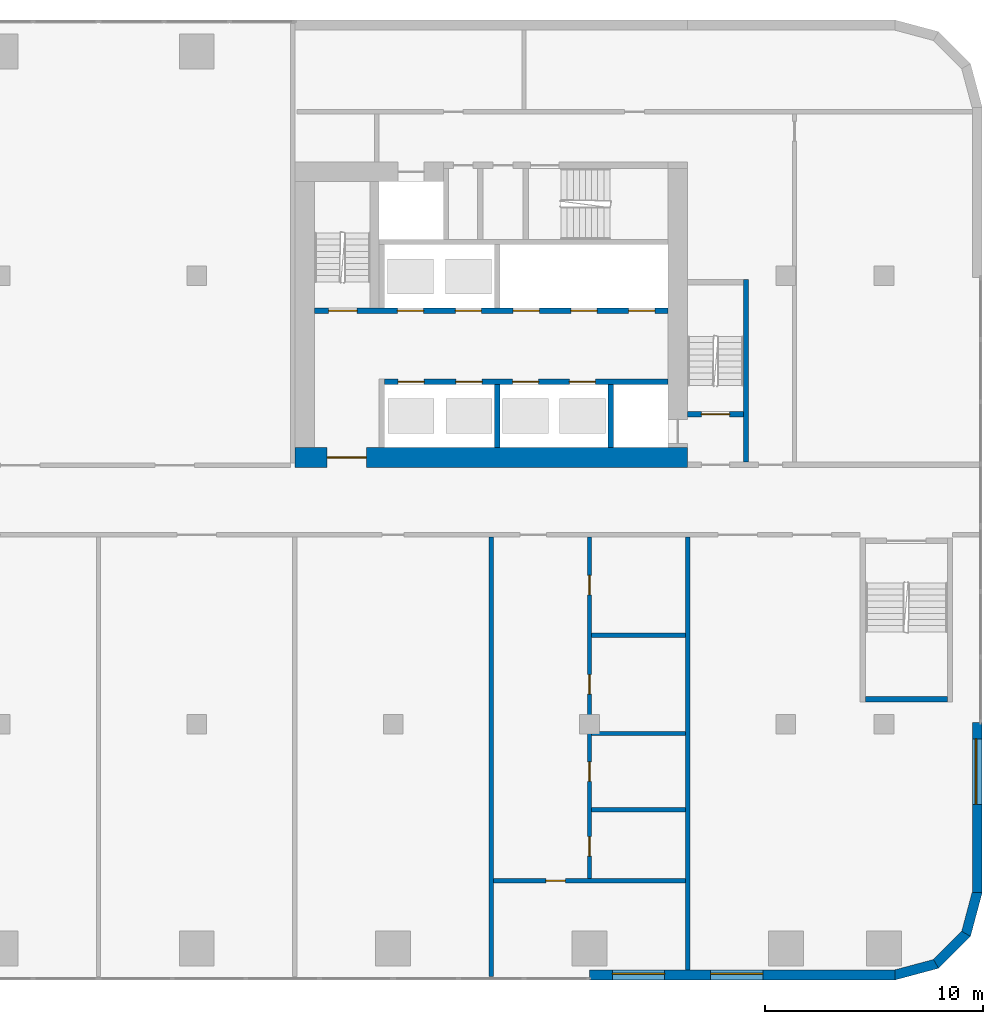
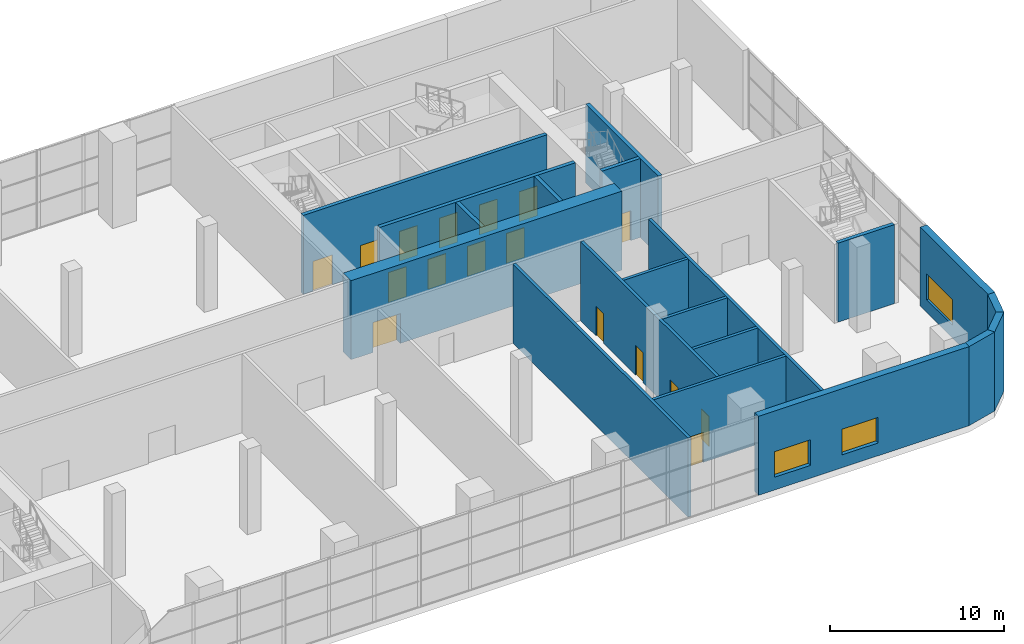
# One storey, part 15 of 27: 20 walls, 17 doors, 3 windows, 20 openings.
"""IFC4 building model written with IfcOpenShell, lengths in metres."""

from ifc_helpers import new_model, si_unit, direction, frame, frame_2d, origin, place, context, subcontext, project, spatial, polyline, rectangle, outline, extrude, material, layer, layer_set, type_object, element, fill, save


model = new_model("IFC4")

# Units and contexts
model_context = context("Model", 3, precision=1e-05, world=origin(), true_north=direction((0.0, 1.0)))
body_context = subcontext(model_context, "Body", "Model", "MODEL_VIEW")
ifc_project = project(units=[si_unit("LENGTHUNIT", "METRE"), si_unit("AREAUNIT", "SQUARE_METRE"), si_unit("VOLUMEUNIT", "CUBIC_METRE"), si_unit("PLANEANGLEUNIT", "RADIAN"), si_unit("MASSUNIT", "GRAM", prefix="KILO")], contexts=[model_context])

# Site, building, storey
site_placement = place(None, origin())
site = spatial("IfcSite", under=ifc_project, at=site_placement, CompositionType="ELEMENT")
building_placement = place(site_placement, origin())
building = spatial("IfcBuilding", under=site, at=building_placement, Name="Kajstack Hotel Tower", CompositionType="ELEMENT")
storey_placement = place(building_placement, frame((0.0, 0.0, 11.0)))
storey = spatial("IfcBuildingStorey", under=building, at=storey_placement, Name="L01", CompositionType="ELEMENT", Elevation=11.0)

# Wall, opening, door
ifc_material_1 = material(Name="Concrete C60/75", Category="concrete")
ifc_layer_1 = layer(ifc_material_1, 0.89990234375)
ifc_layer_set_1 = layer_set([ifc_layer_1], Name="Core wall 900")
wall_type_1 = type_object("IfcWallType", Name="Core wall 900", PredefinedType="SHEAR", material=ifc_layer_set_1)
wall_1_placement = place(storey_placement, frame((13.5, 1.949951171875, 0.0), z_axis=(0.0, 0.0, 1.0), x_axis=(1.0, 0.0, 0.0)))
wall_1 = element("IfcWall", 1, at=wall_1_placement, inside=storey, type_object=wall_type_1, Name="Core wall E RN", PredefinedType="SHEAR", context=body_context, shape_type="SweptSolid", body=[
    extrude(rectangle(XDim=18.0, YDim=0.89990234375, at=frame_2d((9.0, 0.0))), origin(), (0.0, 0.0, 1.0), 5.550048828125),
])
opening_1_placement = place(wall_1_placement, frame((1.47509765625, 0.0, 0.0)))
opening_1 = element("IfcOpeningElement", 2, at=opening_1_placement, cuts=wall_1, Name="Opening 01E12", PredefinedType="OPENING", context=body_context, shape_type="SweptSolid", body=[
    extrude(rectangle(XDim=1.800048828125, YDim=2.10009765625, at=frame_2d((0.89990234375, 1.050048828125))), frame((0.0, 0.4599609375, 0.0), z_axis=(0.0, -1.0, 0.0), x_axis=(1.0, 0.0, 0.0)), (0.0, 0.0, 1.0), 0.919921875),
])
ifc_material_2 = material(Name="Glazed steel frame, fire-rated glass", Category="steel")
door_type_1 = type_object("IfcDoorType", Name="Lobby double door 1800", OperationType="DOUBLE_DOOR_DOUBLE_SWING", PredefinedType="DOOR", material=ifc_material_2)
door_1_placement = place(opening_1_placement, origin())
door_1 = element("IfcDoor", 3, at=door_1_placement, inside=storey, type_object=door_type_1, Name="Door 01E12", OperationType="DOUBLE_DOOR_DOUBLE_SWING", OverallHeight=2.10009765625, OverallWidth=1.800048828125, PredefinedType="DOOR", context=body_context, shape_type="SweptSolid", body=[
    extrude(rectangle(XDim=1.800048828125, YDim=2.10009765625, at=frame_2d((0.89990234375, 1.050048828125))), frame((0.0, 0.02490234375, 0.0), z_axis=(0.0, -1.0, 0.0), x_axis=(1.0, 0.0, 0.0)), (0.0, 0.0, 1.0), 0.050048828125),
])
fill(opening_1, door_1)

# Wall, openings, windows
ifc_material_3 = material(Name="Terracotta-faced brick masonry", Category="masonry")
ifc_layer_2 = layer(ifc_material_3, 0.449951171875)
ifc_layer_set_2 = layer_set([ifc_layer_2], Name="EW-TERRA")
wall_type_2 = type_object("IfcWallType", Name="EW-TERRA", PredefinedType="SOLIDWALL", material=ifc_layer_set_2)
wall_2_placement = place(storey_placement, frame((27.0, -21.77490234375, 0.0), z_axis=(0.0, 0.0, 1.0), x_axis=(1.0, 0.0, 0.0)))
wall_2 = element("IfcWall", 4, at=wall_2_placement, inside=storey, type_object=wall_type_2, Name="E-wall-L01-03-03", PredefinedType="SOLIDWALL", context=body_context, shape_type="SweptSolid", body=[
    extrude(rectangle(XDim=14.0, YDim=0.449951171875, at=frame_2d((7.0, 0.0))), origin(), (0.0, 0.0, 1.0), 5.550048828125),
])
opening_2_placement = place(wall_2_placement, frame((1.050048828125, 0.0, 0.89990234375)))
opening_2 = element("IfcOpeningElement", 5, at=opening_2_placement, cuts=wall_2, Name="Opening W4", PredefinedType="OPENING", context=body_context, shape_type="SweptSolid", body=[
    extrude(rectangle(XDim=2.39990234375, YDim=1.800048828125, at=frame_2d((1.199951171875, 0.89990234375))), frame((0.0, 0.23486328125, 0.0), z_axis=(0.0, -1.0, 0.0), x_axis=(1.0, 0.0, 0.0)), (0.0, 0.0, 1.0), 0.469970703125),
])
opening_3_placement = place(wall_2_placement, frame((5.550048828125, 0.0, 0.89990234375)))
opening_3 = element("IfcOpeningElement", 6, at=opening_3_placement, cuts=wall_2, Name="Opening W4", PredefinedType="OPENING", context=body_context, shape_type="SweptSolid", body=[
    extrude(rectangle(XDim=2.39990234375, YDim=1.800048828125, at=frame_2d((1.199951171875, 0.89990234375))), frame((0.0, 0.23486328125, 0.0), z_axis=(0.0, -1.0, 0.0), x_axis=(1.0, 0.0, 0.0)), (0.0, 0.0, 1.0), 0.469970703125),
])
ifc_material_4 = material(Name="Timber-aluminium window, triple glazed", Category="wood")
window_type_1 = type_object("IfcWindowType", Name="WP1", PartitioningType="SINGLE_PANEL", PredefinedType="WINDOW", material=ifc_material_4)
window_1_placement = place(opening_2_placement, origin())
window_1 = element("IfcWindow", 7, at=window_1_placement, inside=storey, type_object=window_type_1, Name="Window W4 L01-03", OverallHeight=1.800048828125, OverallWidth=2.39990234375, PartitioningType="SINGLE_PANEL", PredefinedType="WINDOW", context=body_context, shape_type="SweptSolid", body=[
    extrude(rectangle(XDim=2.39990234375, YDim=1.800048828125, at=frame_2d((1.199951171875, 0.89990234375))), frame((0.0, 0.090087890625, 0.0), z_axis=(0.0, -1.0, 0.0), x_axis=(1.0, 0.0, 0.0)), (0.0, 0.0, 1.0), 0.06005859375),
])
fill(opening_2, window_1)
window_2_placement = place(opening_3_placement, origin())
window_2 = element("IfcWindow", 8, at=window_2_placement, inside=storey, type_object=window_type_1, Name="Window W4 L01-03", OverallHeight=1.800048828125, OverallWidth=2.39990234375, PartitioningType="SINGLE_PANEL", PredefinedType="WINDOW", context=body_context, shape_type="SweptSolid", body=[
    extrude(rectangle(XDim=2.39990234375, YDim=1.800048828125, at=frame_2d((1.199951171875, 0.89990234375))), frame((0.0, 0.090087890625, 0.0), z_axis=(0.0, -1.0, 0.0), x_axis=(1.0, 0.0, 0.0)), (0.0, 0.0, 1.0), 0.06005859375),
])
fill(opening_3, window_2)

# Walls
wall_3_placement = place(storey_placement, frame((40.941650390625, -21.78271484375, 0.0), z_axis=(0.0, 0.0, 1.0), x_axis=(0.965926999034, 0.25881466832, 0.0)))
element("IfcWall", 9, at=wall_3_placement, inside=storey, type_object=wall_type_2, Name="E-wall-L01-04-00", PredefinedType="SOLIDWALL", context=body_context, shape_type="SweptSolid", body=[
    extrude(outline(polyline([(0.000244140625, -0.22509765625), (2.070556640625, -0.224853515625), (1.9501953125, 0.22509765625), (0.12060546875, 0.22509765625), (0.000244140625, -0.22509765625)])), origin(), (0.0, 0.0, 1.0), 5.550048828125),
])
wall_4_placement = place(storey_placement, frame((42.8408203125, -21.304931640625, 0.0), z_axis=(0.0, 0.0, 1.0), x_axis=(0.707106781187, 0.707106781187, 0.0)))
element("IfcWall", 10, at=wall_4_placement, inside=storey, type_object=wall_type_2, Name="E-wall-L01-05-00", PredefinedType="SOLIDWALL", context=body_context, shape_type="SweptSolid", body=[
    extrude(outline(polyline([(0.0, -0.22509765625), (2.070556640625, -0.22509765625), (1.949951171875, 0.224853515625), (0.12060546875, 0.224853515625), (0.0, -0.22509765625)])), origin(), (0.0, 0.0, 1.0), 5.550048828125),
])
wall_5_placement = place(storey_placement, frame((44.246826171875, -19.941650390625, 0.0), z_axis=(0.0, 0.0, 1.0), x_axis=(0.25881466832, 0.965926999034, 0.0)))
element("IfcWall", 11, at=wall_5_placement, inside=storey, type_object=wall_type_2, Name="E-wall-L01-06-00", PredefinedType="SOLIDWALL", context=body_context, shape_type="SweptSolid", body=[
    extrude(outline(polyline([(-0.000244140625, -0.224853515625), (2.0703125, -0.22509765625), (1.949951171875, 0.22509765625), (0.120361328125, 0.22509765625), (-0.000244140625, -0.224853515625)])), origin(), (0.0, 0.0, 1.0), 5.550048828125),
])

# Wall, opening, window
wall_6_placement = place(storey_placement, frame((44.77490234375, -18.0, 0.0), z_axis=(0.0, 0.0, 1.0), x_axis=(0.0, 1.0, 0.0)))
wall_6 = element("IfcWall", 12, at=wall_6_placement, inside=storey, type_object=wall_type_2, Name="E-wall-L01-07-00", PredefinedType="SOLIDWALL", context=body_context, shape_type="SweptSolid", body=[
    extrude(rectangle(XDim=7.800048828125, YDim=0.449951171875, at=frame_2d((3.89990234375, 0.0))), origin(), (0.0, 0.0, 1.0), 5.550048828125),
])
opening_4_placement = place(wall_6_placement, frame((4.050048828125, 0.0, 0.89990234375)))
opening_4 = element("IfcOpeningElement", 13, at=opening_4_placement, cuts=wall_6, Name="Opening W5", PredefinedType="OPENING", context=body_context, shape_type="SweptSolid", body=[
    extrude(rectangle(XDim=3.0, YDim=1.800048828125, at=frame_2d((1.5, 0.89990234375))), frame((0.0, 0.23486328125, 0.0), z_axis=(0.0, -1.0, 0.0), x_axis=(1.0, 0.0, 0.0)), (0.0, 0.0, 1.0), 0.469970703125),
])
window_type_2 = type_object("IfcWindowType", Name="WP2", PartitioningType="SINGLE_PANEL", PredefinedType="WINDOW", material=ifc_material_4)
window_3_placement = place(opening_4_placement, origin())
window_3 = element("IfcWindow", 14, at=window_3_placement, inside=storey, type_object=window_type_2, Name="Window W5 L01-07", OverallHeight=1.800048828125, OverallWidth=3.0, PartitioningType="SINGLE_PANEL", PredefinedType="WINDOW", context=body_context, shape_type="SweptSolid", body=[
    extrude(rectangle(XDim=3.0, YDim=1.800048828125, at=frame_2d((1.5, 0.89990234375))), frame((0.0, 0.090087890625, 0.0), z_axis=(0.0, -1.0, 0.0), x_axis=(1.0, 0.0, 0.0)), (0.0, 0.0, 1.0), 0.06005859375),
])
fill(opening_4, window_3)

# Walls
ifc_material_5 = material(Name="Concrete C50/60", Category="concrete")
ifc_layer_3 = layer(ifc_material_5, 0.300048828125)
ifc_layer_set_3 = layer_set([ifc_layer_3], Name="Hoistway divider wall 300")
wall_type_3 = type_object("IfcWallType", Name="Hoistway divider wall 300", PredefinedType="SHEAR", material=ifc_layer_set_3)
wall_7_placement = place(storey_placement, frame((22.77490234375, 2.39990234375, 0.0), z_axis=(0.0, 0.0, 1.0), x_axis=(0.0, 1.0, 0.0)))
element("IfcWall", 15, at=wall_7_placement, inside=storey, type_object=wall_type_3, Name="Core wall E AP2", PredefinedType="SHEAR", context=body_context, shape_type="SweptSolid", body=[
    extrude(rectangle(XDim=2.900146484375, YDim=0.25, at=frame_2d((1.4501953125, 0.0))), origin(), (0.0, 0.0, 1.0), 5.550048828125),
])
ifc_material_6 = material(Name="Gypsum board on steel studs, mineral wool", Category="steel")
ifc_layer_4 = layer(ifc_material_6, 0.199951171875)
ifc_layer_set_4 = layer_set([ifc_layer_4], Name="Public partition 200")
wall_type_4 = type_object("IfcWallType", Name="Public partition 200", PredefinedType="PARTITIONING", material=ifc_layer_set_4)
wall_8_placement = place(storey_placement, frame((22.5, -21.85009765625, 0.0), z_axis=(0.0, 0.0, 1.0), x_axis=(0.0, 1.0, 0.0)))
element("IfcWall", 16, at=wall_8_placement, inside=storey, type_object=wall_type_4, Name="Partition SPX2", PredefinedType="PARTITIONING", context=body_context, shape_type="SweptSolid", body=[
    extrude(rectangle(XDim=20.150146484375, YDim=0.199951171875, at=frame_2d((10.0751953125, 0.0))), origin(), (0.0, 0.0, 1.0), 5.550048828125),
])

# Wall, openings, doors
wall_9_placement = place(storey_placement, frame((27.0, -17.35009765625, 0.0), z_axis=(0.0, 0.0, 1.0), x_axis=(0.0, 1.0, 0.0)))
wall_9 = element("IfcWall", 17, at=wall_9_placement, inside=storey, type_object=wall_type_4, Name="Partition SC3CW", PredefinedType="PARTITIONING", context=body_context, shape_type="SweptSolid", body=[
    extrude(rectangle(XDim=15.650146484375, YDim=0.199951171875, at=frame_2d((7.8251953125, 0.0))), origin(), (0.0, 0.0, 1.0), 5.550048828125),
])
opening_5_placement = place(wall_9_placement, frame((13.0, 0.0, 0.0)))
opening_5 = element("IfcOpeningElement", 18, at=opening_5_placement, cuts=wall_9, Name="Opening 01P17", PredefinedType="OPENING", context=body_context, shape_type="SweptSolid", body=[
    extrude(rectangle(XDim=0.89990234375, YDim=2.10009765625, at=frame_2d((0.449951171875, 1.050048828125))), frame((0.0, 0.10986328125, 0.0), z_axis=(0.0, -1.0, 0.0), x_axis=(1.0, 0.0, 0.0)), (0.0, 0.0, 1.0), 0.219970703125),
])
opening_6_placement = place(wall_9_placement, frame((8.449951171875, 0.0, 0.0)))
opening_6 = element("IfcOpeningElement", 19, at=opening_6_placement, cuts=wall_9, Name="Opening 01P18", PredefinedType="OPENING", context=body_context, shape_type="SweptSolid", body=[
    extrude(rectangle(XDim=0.89990234375, YDim=2.10009765625, at=frame_2d((0.449951171875, 1.050048828125))), frame((0.0, 0.10986328125, 0.0), z_axis=(0.0, -1.0, 0.0), x_axis=(1.0, 0.0, 0.0)), (0.0, 0.0, 1.0), 0.219970703125),
])
opening_7_placement = place(wall_9_placement, frame((4.449951171875, 0.0, 0.0)))
opening_7 = element("IfcOpeningElement", 20, at=opening_7_placement, cuts=wall_9, Name="Opening 01P19", PredefinedType="OPENING", context=body_context, shape_type="SweptSolid", body=[
    extrude(rectangle(XDim=0.89990234375, YDim=2.10009765625, at=frame_2d((0.449951171875, 1.050048828125))), frame((0.0, 0.10986328125, 0.0), z_axis=(0.0, -1.0, 0.0), x_axis=(1.0, 0.0, 0.0)), (0.0, 0.0, 1.0), 0.219970703125),
])
opening_8_placement = place(wall_9_placement, frame((1.02490234375, 0.0, 0.0)))
opening_8 = element("IfcOpeningElement", 21, at=opening_8_placement, cuts=wall_9, Name="Opening 01P20", PredefinedType="OPENING", context=body_context, shape_type="SweptSolid", body=[
    extrude(rectangle(XDim=0.89990234375, YDim=2.10009765625, at=frame_2d((0.449951171875, 1.050048828125))), frame((0.0, 0.10986328125, 0.0), z_axis=(0.0, -1.0, 0.0), x_axis=(1.0, 0.0, 0.0)), (0.0, 0.0, 1.0), 0.219970703125),
])
ifc_material_7 = material(Name="Timber leaf", Category="wood")
door_type_2 = type_object("IfcDoorType", Name="Public room door 900", OperationType="SINGLE_SWING_LEFT", PredefinedType="DOOR", material=ifc_material_7)
door_2_placement = place(opening_5_placement, origin())
door_2 = element("IfcDoor", 22, at=door_2_placement, inside=storey, type_object=door_type_2, Name="Door 01P17", OperationType="SINGLE_SWING_RIGHT", OverallHeight=2.10009765625, OverallWidth=0.89990234375, PredefinedType="DOOR", context=body_context, shape_type="SweptSolid", body=[
    extrude(rectangle(XDim=0.89990234375, YDim=2.10009765625, at=frame_2d((0.449951171875, 1.050048828125))), frame((0.0, 0.02490234375, 0.0), z_axis=(0.0, -1.0, 0.0), x_axis=(1.0, 0.0, 0.0)), (0.0, 0.0, 1.0), 0.050048828125),
])
fill(opening_5, door_2)
door_3_placement = place(opening_6_placement, origin())
door_3 = element("IfcDoor", 23, at=door_3_placement, inside=storey, type_object=door_type_2, Name="Door 01P18", OperationType="SINGLE_SWING_RIGHT", OverallHeight=2.10009765625, OverallWidth=0.89990234375, PredefinedType="DOOR", context=body_context, shape_type="SweptSolid", body=[
    extrude(rectangle(XDim=0.89990234375, YDim=2.10009765625, at=frame_2d((0.449951171875, 1.050048828125))), frame((0.0, 0.02490234375, 0.0), z_axis=(0.0, -1.0, 0.0), x_axis=(1.0, 0.0, 0.0)), (0.0, 0.0, 1.0), 0.050048828125),
])
fill(opening_6, door_3)
door_4_placement = place(opening_7_placement, origin())
door_4 = element("IfcDoor", 24, at=door_4_placement, inside=storey, type_object=door_type_2, Name="Door 01P19", OperationType="SINGLE_SWING_RIGHT", OverallHeight=2.10009765625, OverallWidth=0.89990234375, PredefinedType="DOOR", context=body_context, shape_type="SweptSolid", body=[
    extrude(rectangle(XDim=0.89990234375, YDim=2.10009765625, at=frame_2d((0.449951171875, 1.050048828125))), frame((0.0, 0.02490234375, 0.0), z_axis=(0.0, -1.0, 0.0), x_axis=(1.0, 0.0, 0.0)), (0.0, 0.0, 1.0), 0.050048828125),
])
fill(opening_7, door_4)
door_5_placement = place(opening_8_placement, origin())
door_5 = element("IfcDoor", 25, at=door_5_placement, inside=storey, type_object=door_type_2, Name="Door 01P20", OperationType="SINGLE_SWING_RIGHT", OverallHeight=2.10009765625, OverallWidth=0.89990234375, PredefinedType="DOOR", context=body_context, shape_type="SweptSolid", body=[
    extrude(rectangle(XDim=0.89990234375, YDim=2.10009765625, at=frame_2d((0.449951171875, 1.050048828125))), frame((0.0, 0.02490234375, 0.0), z_axis=(0.0, -1.0, 0.0), x_axis=(1.0, 0.0, 0.0)), (0.0, 0.0, 1.0), 0.050048828125),
])
fill(opening_8, door_5)

# Walls
for number, where, z_axis, x_axis, name in (
    (26, (27.10009765625, -6.199951171875, 0.0), (0.0, 0.0, 1.0), (1.0, 0.0, 0.0), "Partition SC3wP0"),
    (27, (27.10009765625, -10.699951171875, 0.0), (0.0, 0.0, 1.0), (1.0, 0.0, 0.0), "Partition SC3wP1"),
    (28, (27.10009765625, -14.199951171875, 0.0), (0.0, 0.0, 1.0), (1.0, 0.0, 0.0), "Partition SC3wP2"),
):
    element("IfcWall", number, at=place(storey_placement, frame(where, z_axis=z_axis, x_axis=x_axis)), inside=storey, type_object=wall_type_4, Name=name, PredefinedType="PARTITIONING", context=body_context, shape_type="SweptSolid", body=[
        extrude(rectangle(XDim=4.2998046875, YDim=0.199951171875, at=frame_2d((2.14990234375, 0.0))), origin(), (0.0, 0.0, 1.0), 5.550048828125),
    ])

# Wall, opening, door
wall_10_placement = place(storey_placement, frame((22.60009765625, -17.449951171875, 0.0), z_axis=(0.0, 0.0, 1.0), x_axis=(1.0, 0.0, 0.0)))
wall_10 = element("IfcWall", 29, at=wall_10_placement, inside=storey, type_object=wall_type_4, Name="Partition SC3BW", PredefinedType="PARTITIONING", context=body_context, shape_type="SweptSolid", body=[
    extrude(rectangle(XDim=8.7998046875, YDim=0.199951171875, at=frame_2d((4.39990234375, 0.0))), origin(), (0.0, 0.0, 1.0), 5.550048828125),
])
opening_9_placement = place(wall_10_placement, frame((2.39990234375, 0.0, 0.0)))
opening_9 = element("IfcOpeningElement", 30, at=opening_9_placement, cuts=wall_10, Name="Opening 01P21", PredefinedType="OPENING", context=body_context, shape_type="SweptSolid", body=[
    extrude(rectangle(XDim=0.89990234375, YDim=2.10009765625, at=frame_2d((0.449951171875, 1.050048828125))), frame((0.0, 0.10986328125, 0.0), z_axis=(0.0, -1.0, 0.0), x_axis=(1.0, 0.0, 0.0)), (0.0, 0.0, 1.0), 0.219970703125),
])
door_6_placement = place(opening_9_placement, origin())
door_6 = element("IfcDoor", 31, at=door_6_placement, inside=storey, type_object=door_type_2, Name="Door 01P21", OperationType="SINGLE_SWING_RIGHT", OverallHeight=2.10009765625, OverallWidth=0.89990234375, PredefinedType="DOOR", context=body_context, shape_type="SweptSolid", body=[
    extrude(rectangle(XDim=0.89990234375, YDim=2.10009765625, at=frame_2d((0.449951171875, 1.050048828125))), frame((0.0, 0.02490234375, 0.0), z_axis=(0.0, -1.0, 0.0), x_axis=(1.0, 0.0, 0.0)), (0.0, 0.0, 1.0), 0.050048828125),
])
fill(opening_9, door_6)

# Wall
wall_11_placement = place(storey_placement, frame((31.5, -21.550048828125, 0.0), z_axis=(0.0, 0.0, 1.0), x_axis=(0.0, 1.0, 0.0)))
element("IfcWall", 32, at=wall_11_placement, inside=storey, type_object=wall_type_4, Name="Partition SPX3", PredefinedType="PARTITIONING", context=body_context, shape_type="SweptSolid", body=[
    extrude(rectangle(XDim=19.85009765625, YDim=0.199951171875, at=frame_2d((9.925048828125, 0.0))), origin(), (0.0, 0.0, 1.0), 5.550048828125),
])

# Wall, openings, doors
ifc_layer_5 = layer(ifc_material_5, 0.25)
ifc_layer_set_5 = layer_set([ifc_layer_5], Name="Shaft wall 250")
wall_type_5 = type_object("IfcWallType", Name="Shaft wall 250", PredefinedType="SHEAR", material=ifc_layer_set_5)
wall_12_placement = place(storey_placement, frame((17.60009765625, 5.425048828125, 0.0), z_axis=(0.0, 0.0, 1.0), x_axis=(1.0, 0.0, 0.0)))
wall_12 = element("IfcWall", 33, at=wall_12_placement, inside=storey, type_object=wall_type_5, Name="Core wall E FA", PredefinedType="SHEAR", context=body_context, shape_type="SweptSolid", body=[
    extrude(rectangle(XDim=13.0, YDim=0.25, at=frame_2d((6.5, 0.0))), origin(), (0.0, 0.0, 1.0), 5.550048828125),
])
opening_10_placement = place(wall_12_placement, frame((8.47509765625, 0.0, 0.0)))
opening_10 = element("IfcOpeningElement", 34, at=opening_10_placement, cuts=wall_12, Name="Opening LD-MR7", PredefinedType="OPENING", context=body_context, shape_type="SweptSolid", body=[
    extrude(rectangle(XDim=1.199951171875, YDim=2.10009765625, at=frame_2d((0.60009765625, 1.050048828125))), frame((0.0, 0.135009765625, 0.0), z_axis=(0.0, -1.0, 0.0), x_axis=(1.0, 0.0, 0.0)), (0.0, 0.0, 1.0), 0.27001953125),
])
opening_11_placement = place(wall_12_placement, frame((5.875, 0.0, 0.0)))
opening_11 = element("IfcOpeningElement", 35, at=opening_11_placement, cuts=wall_12, Name="Opening LD-MR8", PredefinedType="OPENING", context=body_context, shape_type="SweptSolid", body=[
    extrude(rectangle(XDim=1.199951171875, YDim=2.10009765625, at=frame_2d((0.60009765625, 1.050048828125))), frame((0.0, 0.135009765625, 0.0), z_axis=(0.0, -1.0, 0.0), x_axis=(1.0, 0.0, 0.0)), (0.0, 0.0, 1.0), 0.27001953125),
])
opening_12_placement = place(wall_12_placement, frame((3.27490234375, 0.0, 0.0)))
opening_12 = element("IfcOpeningElement", 36, at=opening_12_placement, cuts=wall_12, Name="Opening LD-HR3", PredefinedType="OPENING", context=body_context, shape_type="SweptSolid", body=[
    extrude(rectangle(XDim=1.199951171875, YDim=2.10009765625, at=frame_2d((0.60009765625, 1.050048828125))), frame((0.0, 0.135009765625, 0.0), z_axis=(0.0, -1.0, 0.0), x_axis=(1.0, 0.0, 0.0)), (0.0, 0.0, 1.0), 0.27001953125),
])
opening_13_placement = place(wall_12_placement, frame((0.625, 0.0, 0.0)))
opening_13 = element("IfcOpeningElement", 37, at=opening_13_placement, cuts=wall_12, Name="Opening LD-HR4", PredefinedType="OPENING", context=body_context, shape_type="SweptSolid", body=[
    extrude(rectangle(XDim=1.199951171875, YDim=2.10009765625, at=frame_2d((0.60009765625, 1.050048828125))), frame((0.0, 0.135009765625, 0.0), z_axis=(0.0, -1.0, 0.0), x_axis=(1.0, 0.0, 0.0)), (0.0, 0.0, 1.0), 0.27001953125),
])
ifc_material_8 = material(Name="Stainless steel", Category="steel")
door_type_3 = type_object("IfcDoorType", Name="Lift landing door 1200", OperationType="SLIDING_TO_LEFT", PredefinedType="DOOR", material=ifc_material_8)
door_7_placement = place(opening_10_placement, origin())
door_7 = element("IfcDoor", 38, at=door_7_placement, inside=storey, type_object=door_type_3, Name="Landing door MR7", OperationType="SLIDING_TO_LEFT", OverallHeight=2.10009765625, OverallWidth=1.199951171875, PredefinedType="DOOR", context=body_context, shape_type="SweptSolid", body=[
    extrude(rectangle(XDim=1.199951171875, YDim=2.10009765625, at=frame_2d((0.60009765625, 1.050048828125))), frame((0.0, 0.02490234375, 0.0), z_axis=(0.0, -1.0, 0.0), x_axis=(1.0, 0.0, 0.0)), (0.0, 0.0, 1.0), 0.050048828125),
])
fill(opening_10, door_7)
door_8_placement = place(opening_11_placement, origin())
door_8 = element("IfcDoor", 39, at=door_8_placement, inside=storey, type_object=door_type_3, Name="Landing door MR8", OperationType="SLIDING_TO_RIGHT", OverallHeight=2.10009765625, OverallWidth=1.199951171875, PredefinedType="DOOR", context=body_context, shape_type="SweptSolid", body=[
    extrude(rectangle(XDim=1.199951171875, YDim=2.10009765625, at=frame_2d((0.60009765625, 1.050048828125))), frame((0.0, 0.02490234375, 0.0), z_axis=(0.0, -1.0, 0.0), x_axis=(1.0, 0.0, 0.0)), (0.0, 0.0, 1.0), 0.050048828125),
])
fill(opening_11, door_8)
door_9_placement = place(opening_12_placement, origin())
door_9 = element("IfcDoor", 40, at=door_9_placement, inside=storey, type_object=door_type_3, Name="Landing door HR3", OperationType="SLIDING_TO_RIGHT", OverallHeight=2.10009765625, OverallWidth=1.199951171875, PredefinedType="DOOR", context=body_context, shape_type="SweptSolid", body=[
    extrude(rectangle(XDim=1.199951171875, YDim=2.10009765625, at=frame_2d((0.60009765625, 1.050048828125))), frame((0.0, 0.02490234375, 0.0), z_axis=(0.0, -1.0, 0.0), x_axis=(1.0, 0.0, 0.0)), (0.0, 0.0, 1.0), 0.050048828125),
])
fill(opening_12, door_9)
door_10_placement = place(opening_13_placement, origin())
door_10 = element("IfcDoor", 41, at=door_10_placement, inside=storey, type_object=door_type_3, Name="Landing door HR4", OperationType="SLIDING_TO_LEFT", OverallHeight=2.10009765625, OverallWidth=1.199951171875, PredefinedType="DOOR", context=body_context, shape_type="SweptSolid", body=[
    extrude(rectangle(XDim=1.199951171875, YDim=2.10009765625, at=frame_2d((0.60009765625, 1.050048828125))), frame((0.0, 0.02490234375, 0.0), z_axis=(0.0, -1.0, 0.0), x_axis=(1.0, 0.0, 0.0)), (0.0, 0.0, 1.0), 0.050048828125),
])
fill(opening_13, door_10)

# Wall
wall_13_placement = place(storey_placement, frame((27.97509765625, 2.39990234375, 0.0), z_axis=(0.0, 0.0, 1.0), x_axis=(0.0, 1.0, 0.0)))
element("IfcWall", 42, at=wall_13_placement, inside=storey, type_object=wall_type_5, Name="Core wall E AP0", PredefinedType="SHEAR", context=body_context, shape_type="SweptSolid", body=[
    extrude(rectangle(XDim=2.900146484375, YDim=0.25, at=frame_2d((1.4501953125, 0.0))), origin(), (0.0, 0.0, 1.0), 5.550048828125),
])

# Wall, openings, doors
wall_14_placement = place(storey_placement, frame((14.39990234375, 8.675048828125, 0.0), z_axis=(0.0, 0.0, 1.0), x_axis=(1.0, 0.0, 0.0)))
wall_14 = element("IfcWall", 43, at=wall_14_placement, inside=storey, type_object=wall_type_5, Name="Core wall E FB", PredefinedType="SHEAR", context=body_context, shape_type="SweptSolid", body=[
    extrude(rectangle(XDim=16.2001953125, YDim=0.25, at=frame_2d((8.10009765625, 0.0))), origin(), (0.0, 0.0, 1.0), 5.550048828125),
])
opening_14_placement = place(wall_14_placement, frame((14.39990234375, 0.0, 0.0)))
opening_14 = element("IfcOpeningElement", 44, at=opening_14_placement, cuts=wall_14, Name="Opening LD-LR4", PredefinedType="OPENING", context=body_context, shape_type="SweptSolid", body=[
    extrude(rectangle(XDim=1.199951171875, YDim=2.10009765625, at=frame_2d((0.60009765625, 1.050048828125))), frame((0.0, 0.135009765625, 0.0), z_axis=(0.0, -1.0, 0.0), x_axis=(1.0, 0.0, 0.0)), (0.0, 0.0, 1.0), 0.27001953125),
])
opening_15_placement = place(wall_14_placement, frame((11.75, 0.0, 0.0)))
opening_15 = element("IfcOpeningElement", 45, at=opening_15_placement, cuts=wall_14, Name="Opening LD-LR5", PredefinedType="OPENING", context=body_context, shape_type="SweptSolid", body=[
    extrude(rectangle(XDim=1.199951171875, YDim=2.10009765625, at=frame_2d((0.60009765625, 1.050048828125))), frame((0.0, 0.135009765625, 0.0), z_axis=(0.0, -1.0, 0.0), x_axis=(1.0, 0.0, 0.0)), (0.0, 0.0, 1.0), 0.27001953125),
])
opening_16_placement = place(wall_14_placement, frame((9.10009765625, 0.0, 0.0)))
opening_16 = element("IfcOpeningElement", 46, at=opening_16_placement, cuts=wall_14, Name="Opening LD-LR6", PredefinedType="OPENING", context=body_context, shape_type="SweptSolid", body=[
    extrude(rectangle(XDim=1.199951171875, YDim=2.10009765625, at=frame_2d((0.60009765625, 1.050048828125))), frame((0.0, 0.135009765625, 0.0), z_axis=(0.0, -1.0, 0.0), x_axis=(1.0, 0.0, 0.0)), (0.0, 0.0, 1.0), 0.27001953125),
])
opening_17_placement = place(wall_14_placement, frame((6.449951171875, 0.0, 0.0)))
opening_17 = element("IfcOpeningElement", 47, at=opening_17_placement, cuts=wall_14, Name="Opening LD-MR5", PredefinedType="OPENING", context=body_context, shape_type="SweptSolid", body=[
    extrude(rectangle(XDim=1.199951171875, YDim=2.10009765625, at=frame_2d((0.60009765625, 1.050048828125))), frame((0.0, 0.135009765625, 0.0), z_axis=(0.0, -1.0, 0.0), x_axis=(1.0, 0.0, 0.0)), (0.0, 0.0, 1.0), 0.27001953125),
])
opening_18_placement = place(wall_14_placement, frame((3.800048828125, 0.0, 0.0)))
opening_18 = element("IfcOpeningElement", 48, at=opening_18_placement, cuts=wall_14, Name="Opening LD-MR6", PredefinedType="OPENING", context=body_context, shape_type="SweptSolid", body=[
    extrude(rectangle(XDim=1.199951171875, YDim=2.10009765625, at=frame_2d((0.60009765625, 1.050048828125))), frame((0.0, 0.135009765625, 0.0), z_axis=(0.0, -1.0, 0.0), x_axis=(1.0, 0.0, 0.0)), (0.0, 0.0, 1.0), 0.27001953125),
])
opening_19_placement = place(wall_14_placement, frame((0.64990234375, 0.0, 0.0)))
opening_19 = element("IfcOpeningElement", 49, at=opening_19_placement, cuts=wall_14, Name="Opening 01E16", PredefinedType="OPENING", context=body_context, shape_type="SweptSolid", body=[
    extrude(rectangle(XDim=1.300048828125, YDim=2.10009765625, at=frame_2d((0.64990234375, 1.050048828125))), frame((0.0, 0.135009765625, 0.0), z_axis=(0.0, -1.0, 0.0), x_axis=(1.0, 0.0, 0.0)), (0.0, 0.0, 1.0), 0.27001953125),
])
door_11_placement = place(opening_14_placement, origin())
door_11 = element("IfcDoor", 50, at=door_11_placement, inside=storey, type_object=door_type_3, Name="Landing door LR4", OperationType="SLIDING_TO_LEFT", OverallHeight=2.10009765625, OverallWidth=1.199951171875, PredefinedType="DOOR", context=body_context, shape_type="SweptSolid", body=[
    extrude(rectangle(XDim=1.199951171875, YDim=2.10009765625, at=frame_2d((0.60009765625, 1.050048828125))), frame((0.0, 0.02490234375, 0.0), z_axis=(0.0, -1.0, 0.0), x_axis=(1.0, 0.0, 0.0)), (0.0, 0.0, 1.0), 0.050048828125),
])
fill(opening_14, door_11)
door_12_placement = place(opening_15_placement, origin())
door_12 = element("IfcDoor", 51, at=door_12_placement, inside=storey, type_object=door_type_3, Name="Landing door LR5", OperationType="SLIDING_TO_RIGHT", OverallHeight=2.10009765625, OverallWidth=1.199951171875, PredefinedType="DOOR", context=body_context, shape_type="SweptSolid", body=[
    extrude(rectangle(XDim=1.199951171875, YDim=2.10009765625, at=frame_2d((0.60009765625, 1.050048828125))), frame((0.0, 0.02490234375, 0.0), z_axis=(0.0, -1.0, 0.0), x_axis=(1.0, 0.0, 0.0)), (0.0, 0.0, 1.0), 0.050048828125),
])
fill(opening_15, door_12)
door_13_placement = place(opening_16_placement, origin())
door_13 = element("IfcDoor", 52, at=door_13_placement, inside=storey, type_object=door_type_3, Name="Landing door LR6", OperationType="SLIDING_TO_RIGHT", OverallHeight=2.10009765625, OverallWidth=1.199951171875, PredefinedType="DOOR", context=body_context, shape_type="SweptSolid", body=[
    extrude(rectangle(XDim=1.199951171875, YDim=2.10009765625, at=frame_2d((0.60009765625, 1.050048828125))), frame((0.0, 0.02490234375, 0.0), z_axis=(0.0, -1.0, 0.0), x_axis=(1.0, 0.0, 0.0)), (0.0, 0.0, 1.0), 0.050048828125),
])
fill(opening_16, door_13)
door_14_placement = place(opening_17_placement, origin())
door_14 = element("IfcDoor", 53, at=door_14_placement, inside=storey, type_object=door_type_3, Name="Landing door MR5", OperationType="SLIDING_TO_LEFT", OverallHeight=2.10009765625, OverallWidth=1.199951171875, PredefinedType="DOOR", context=body_context, shape_type="SweptSolid", body=[
    extrude(rectangle(XDim=1.199951171875, YDim=2.10009765625, at=frame_2d((0.60009765625, 1.050048828125))), frame((0.0, 0.02490234375, 0.0), z_axis=(0.0, -1.0, 0.0), x_axis=(1.0, 0.0, 0.0)), (0.0, 0.0, 1.0), 0.050048828125),
])
fill(opening_17, door_14)
door_15_placement = place(opening_18_placement, origin())
door_15 = element("IfcDoor", 54, at=door_15_placement, inside=storey, type_object=door_type_3, Name="Landing door MR6", OperationType="SLIDING_TO_RIGHT", OverallHeight=2.10009765625, OverallWidth=1.199951171875, PredefinedType="DOOR", context=body_context, shape_type="SweptSolid", body=[
    extrude(rectangle(XDim=1.199951171875, YDim=2.10009765625, at=frame_2d((0.60009765625, 1.050048828125))), frame((0.0, 0.02490234375, 0.0), z_axis=(0.0, -1.0, 0.0), x_axis=(1.0, 0.0, 0.0)), (0.0, 0.0, 1.0), 0.050048828125),
])
fill(opening_18, door_15)
ifc_material_9 = material(Name="Steel leaf, fire-rated", Category="steel")
door_type_4 = type_object("IfcDoorType", Name="Stair door 1300", OperationType="SINGLE_SWING_LEFT", PredefinedType="DOOR", material=ifc_material_9)
door_16_placement = place(opening_19_placement, origin())
door_16 = element("IfcDoor", 55, at=door_16_placement, inside=storey, type_object=door_type_4, Name="Door 01E16", OperationType="SINGLE_SWING_LEFT", OverallHeight=2.10009765625, OverallWidth=1.300048828125, PredefinedType="DOOR", context=body_context, shape_type="SweptSolid", body=[
    extrude(rectangle(XDim=1.300048828125, YDim=2.10009765625, at=frame_2d((0.64990234375, 1.050048828125))), frame((0.0, 0.02490234375, 0.0), z_axis=(0.0, -1.0, 0.0), x_axis=(1.0, 0.0, 0.0)), (0.0, 0.0, 1.0), 0.050048828125),
])
fill(opening_19, door_16)

# Wall, opening, door
ifc_material_10 = material(Name="Concrete C40/50", Category="concrete")
ifc_layer_6 = layer(ifc_material_10, 0.25)
ifc_layer_set_6 = layer_set([ifc_layer_6], Name="Stair enclosure wall 250")
wall_type_6 = type_object("IfcWallType", Name="Stair enclosure wall 250", PredefinedType="SHEAR", material=ifc_layer_set_6)
wall_15_placement = place(storey_placement, frame((31.5, 3.925048828125, 0.0), z_axis=(0.0, 0.0, 1.0), x_axis=(1.0, 0.0, 0.0)))
wall_15 = element("IfcWall", 56, at=wall_15_placement, inside=storey, type_object=wall_type_6, Name="Core wall E W1N", PredefinedType="SHEAR", context=body_context, shape_type="SweptSolid", body=[
    extrude(rectangle(XDim=2.550048828125, YDim=0.25, at=frame_2d((1.27490234375, 0.0))), origin(), (0.0, 0.0, 1.0), 5.550048828125),
])
opening_20_placement = place(wall_15_placement, frame((0.625, 0.0, 0.0)))
opening_20 = element("IfcOpeningElement", 57, at=opening_20_placement, cuts=wall_15, Name="Opening 01E14", PredefinedType="OPENING", context=body_context, shape_type="SweptSolid", body=[
    extrude(rectangle(XDim=1.300048828125, YDim=2.10009765625, at=frame_2d((0.64990234375, 1.050048828125))), frame((0.0, 0.135009765625, 0.0), z_axis=(0.0, -1.0, 0.0), x_axis=(1.0, 0.0, 0.0)), (0.0, 0.0, 1.0), 0.27001953125),
])
door_17_placement = place(opening_20_placement, origin())
door_17 = element("IfcDoor", 58, at=door_17_placement, inside=storey, type_object=door_type_4, Name="Door 01E14", OperationType="SINGLE_SWING_LEFT", OverallHeight=2.10009765625, OverallWidth=1.300048828125, PredefinedType="DOOR", context=body_context, shape_type="SweptSolid", body=[
    extrude(rectangle(XDim=1.300048828125, YDim=2.10009765625, at=frame_2d((0.64990234375, 1.050048828125))), frame((0.0, 0.02490234375, 0.0), z_axis=(0.0, -1.0, 0.0), x_axis=(1.0, 0.0, 0.0)), (0.0, 0.0, 1.0), 0.050048828125),
])
fill(opening_20, door_17)

# Walls
wall_16_placement = place(storey_placement, frame((34.175048828125, 1.75, 0.0), z_axis=(0.0, 0.0, 1.0), x_axis=(0.0, 1.0, 0.0)))
element("IfcWall", 59, at=wall_16_placement, inside=storey, type_object=wall_type_6, Name="Core wall E W1W", PredefinedType="SHEAR", context=body_context, shape_type="SweptSolid", body=[
    extrude(rectangle(XDim=8.35009765625, YDim=0.25, at=frame_2d((4.175048828125, 0.0))), origin(), (0.0, 0.0, 1.0), 5.550048828125),
])
wall_17_placement = place(storey_placement, frame((39.64990234375, -9.125, 0.0), z_axis=(0.0, 0.0, 1.0), x_axis=(1.0, 0.0, 0.0)))
element("IfcWall", 60, at=wall_17_placement, inside=storey, type_object=wall_type_6, Name="Stair wall P2 F", PredefinedType="SHEAR", context=body_context, shape_type="SweptSolid", body=[
    extrude(rectangle(XDim=3.75, YDim=0.25, at=frame_2d((1.875, 0.0))), origin(), (0.0, 0.0, 1.0), 5.550048828125),
])

save(model, "model.ifc")
